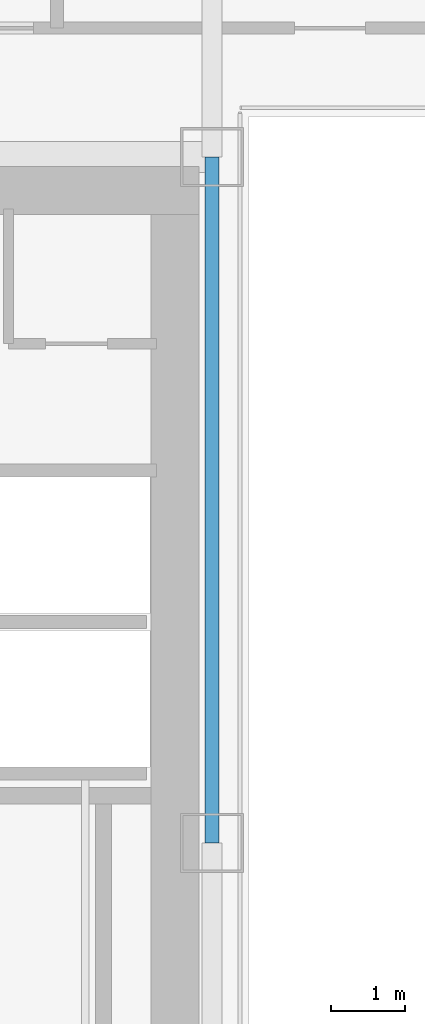
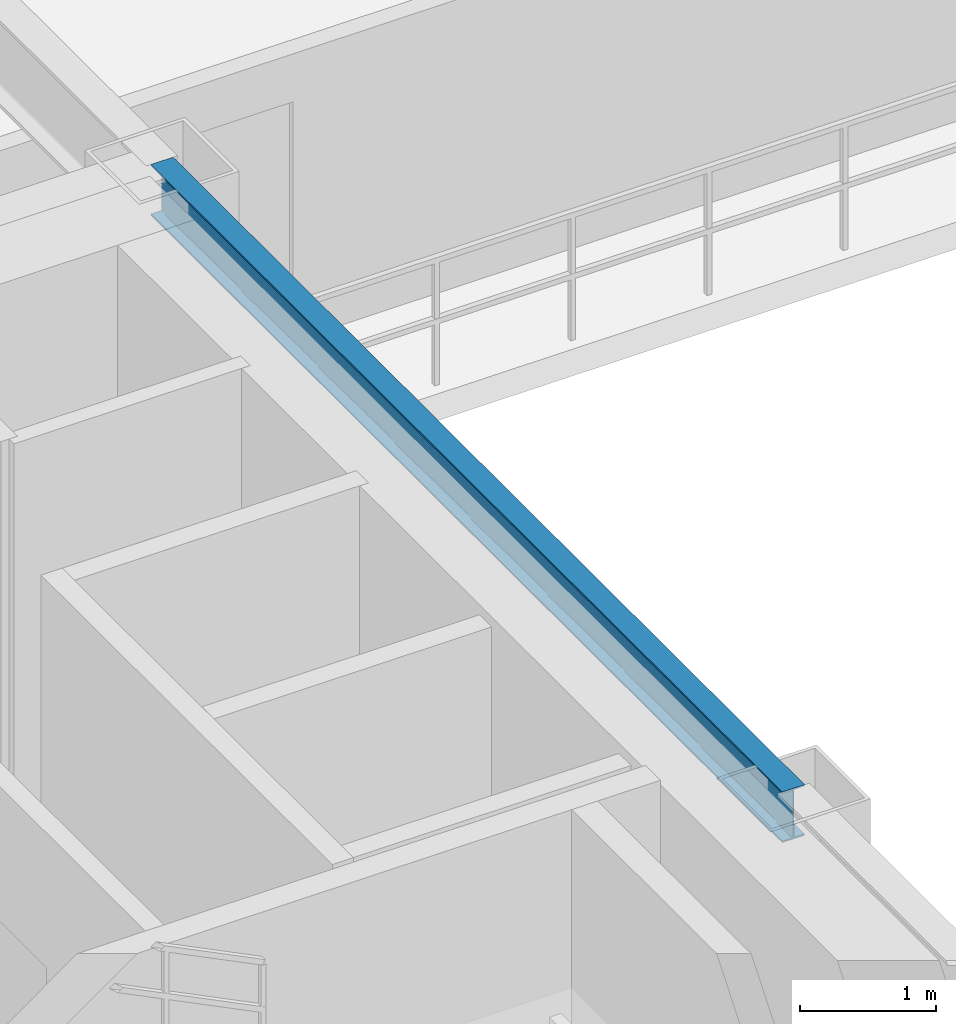
# One storey, part 9 of 35: 1 beam.
"""IFC4 building model written with IfcOpenShell, lengths in metres."""

from ifc_helpers import new_model, si_unit, direction, frame, origin, origin_2d, place, context, subcontext, project, spatial, i_section, extrude, source, transform, mapped, material, material_profile, profile_set, type_object, element, save


model = new_model("IFC4")

# Units and contexts
model_context = context("Model", 3, precision=1e-05, world=origin(), true_north=direction((0.0, 1.0)))
body_context = subcontext(model_context, "Body", "Model", "MODEL_VIEW")
ifc_project = project(units=[si_unit("LENGTHUNIT", "METRE"), si_unit("AREAUNIT", "SQUARE_METRE"), si_unit("VOLUMEUNIT", "CUBIC_METRE"), si_unit("PLANEANGLEUNIT", "RADIAN"), si_unit("MASSUNIT", "GRAM", prefix="KILO")], contexts=[model_context])

# Site, building, storey
site_placement = place(None, origin())
site = spatial("IfcSite", under=ifc_project, at=site_placement, CompositionType="ELEMENT")
building_placement = place(site_placement, origin())
building = spatial("IfcBuilding", under=site, at=building_placement, Name="Ocotamira Hotel", CompositionType="ELEMENT")
storey_placement = place(building_placement, frame((0.0, 0.0, 115.199951171875)))
storey = spatial("IfcBuildingStorey", under=building, at=storey_placement, Name="L28", CompositionType="ELEMENT", Elevation=115.199951171875)

# Beam
ifc_material = material(Name="Steel ASTM A992 Grade 50", Category="steel")
ifc_material_profile = material_profile(ifc_material, i_section(OverallWidth=0.18994140625, OverallDepth=0.45703125, WebThickness=0.009033203125, FlangeThickness=0.014404296875, FilletRadius=0.010009765625, at=origin_2d()), Name="W18X50")
ifc_profile_set = profile_set([ifc_material_profile], Name="Steel ASTM A992 Grade 50")
beam_type = type_object("IfcBeamType", Name="BM-SEC-W18X50", PredefinedType="JOIST", material=ifc_profile_set)
shared_shape = source(origin(), body_context, "Body", "SweptSolid", [
    extrude(i_section(OverallWidth=0.18994140625, OverallDepth=0.45703125, WebThickness=0.009033203125, FlangeThickness=0.014404296875, FilletRadius=0.010009765625, at=origin_2d()), origin(), (0.0, 0.0, 1.0), 9.300048828125),
])
beam_placement = place(storey_placement, frame((23.5, 28.14990234375, 3.131591796875), z_axis=(0.0, 1.0, 0.0), x_axis=(-1.0, 0.0, 0.0)))
element("IfcBeam", 1, at=beam_placement, inside=storey, type_object=beam_type, Name="L28 Beam X23.5 Y28.15-37.45", PredefinedType="JOIST", context=body_context, shape_type="MappedRepresentation", body=[
    mapped(shared_shape, transform((0.0, 0.0, 0.0), scale=1.0)),
])

save(model, "model.ifc")
